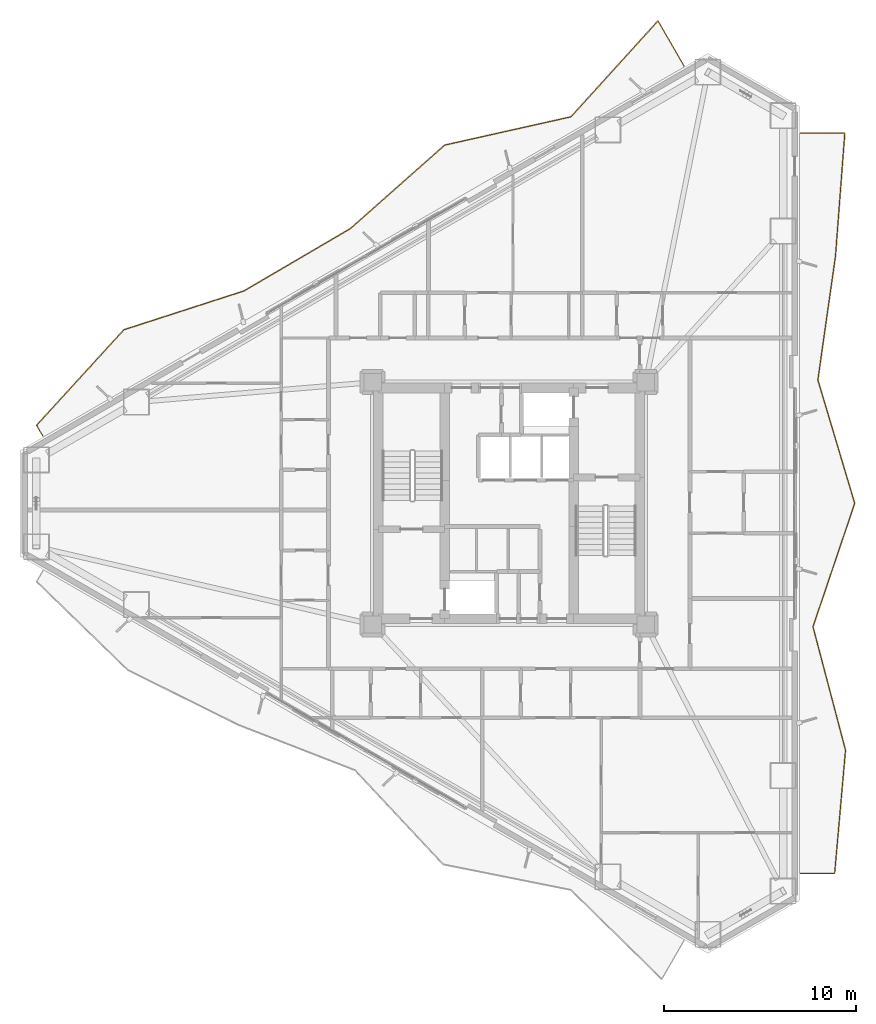
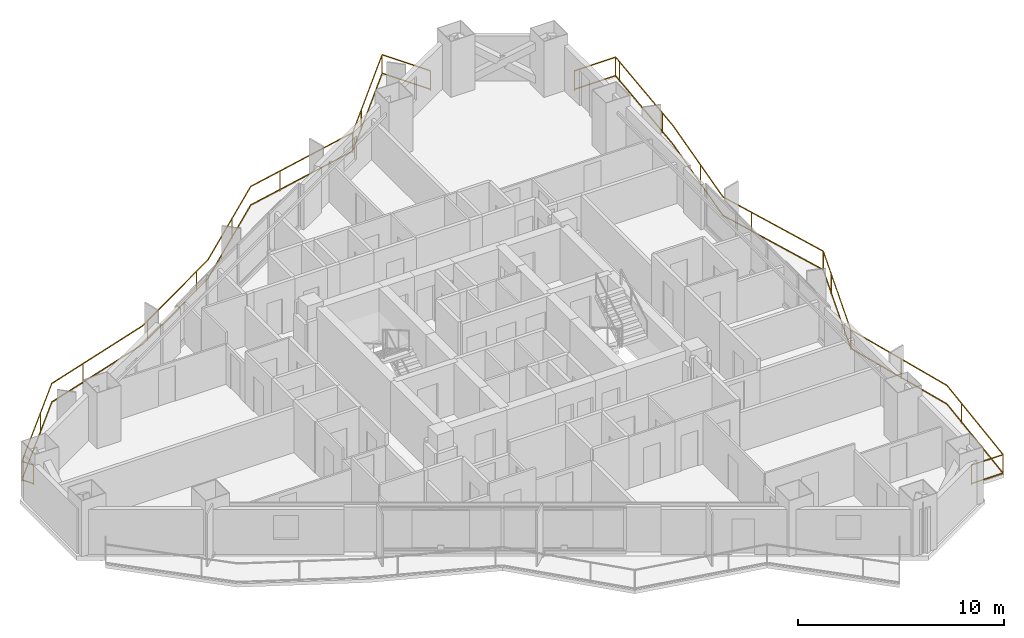
# One storey, part 18 of 18: 2 railings.
"""IFC4 building model written with IfcOpenShell, lengths in metres."""

import ifcopenshell
import ifcopenshell.guid

model = None  # the IFC model being written
_history = None  # IfcOwnerHistory: only IFC2X3 demands one
_inside = {}  # id of a spatial element -> (the spatial element, [elements in it])
_under = {}  # id of a project, library or spatial element -> (it, [spatial elements below it])
_declared = {}  # id of a project -> (the project, [libraries it declares])
_typed = {}  # id of a type object -> (the type object, [elements of that type])
_made_of = {}  # id of a material, layer set ... -> (it, [elements and type objects made of it])


def new_model(schema):
    """Start an empty IFC model of exactly this schema.

    Asked for "IFC4X3", IfcOpenShell would pick the latest addendum, in which some entities
    have other attributes; the version numbers below select the first issue.
    IFC2X3 requires an IfcOwnerHistory on every rooted entity: one is made here for all.
    """
    global model, _history
    if schema == "IFC4X3":
        model = ifcopenshell.file(schema_version=(4, 3, 0, 0))
    else:
        model = ifcopenshell.file(schema=schema)
    _inside.clear()
    _under.clear()
    _declared.clear()
    _typed.clear()
    _made_of.clear()
    _history = None
    if model.schema == "IFC2X3":
        org = make("IfcOrganization", Name="unknown")
        user = make(
            "IfcPersonAndOrganization",
            ThePerson=make("IfcPerson", FamilyName="unknown"),
            TheOrganization=org,
        )
        app = make(
            "IfcApplication",
            ApplicationDeveloper=org,
            Version="unknown",
            ApplicationFullName="unknown",
            ApplicationIdentifier="unknown",
        )
        _history = make(
            "IfcOwnerHistory",
            OwningUser=user,
            OwningApplication=app,
            ChangeAction="ADDED",
            CreationDate=0,
        )
    return model


def make(cls, **values):
    """One entity of the class cls with the attributes given. An attribute that is None is left unset."""
    return model.create_entity(
        cls, **{name: value for name, value in values.items() if value is not None}
    )


def rooted(cls, **values):
    """An entity with a GlobalId (a new one), such as an element, a storey or a relation."""
    return make(cls, GlobalId=ifcopenshell.guid.new(), OwnerHistory=_history, **values)


def si_unit(unit_type, name, prefix=None):
    """IfcSIUnit, for example si_unit("LENGTHUNIT", "METRE", prefix="MILLI")."""
    return make("IfcSIUnit", UnitType=unit_type, Prefix=prefix, Name=name)


def assignment(units):
    """IfcUnitAssignment: the units of a project."""
    return None if units is None else make("IfcUnitAssignment", Units=units)


def point(xyz):
    """IfcCartesianPoint."""
    return None if xyz is None else make("IfcCartesianPoint", Coordinates=xyz)


def direction(xyz):
    """IfcDirection."""
    return None if xyz is None else make("IfcDirection", DirectionRatios=xyz)


def frame(location, z_axis=None, x_axis=None):
    """IfcAxis2Placement3D, a coordinate frame: its origin and axes. An axis left out is left unset."""
    return make(
        "IfcAxis2Placement3D",
        Location=point(location),
        Axis=direction(z_axis),
        RefDirection=direction(x_axis),
    )


def frame_2d(location, x_axis=None):
    """IfcAxis2Placement2D, a coordinate frame in the plane: its origin and x axis."""
    return make(
        "IfcAxis2Placement2D", Location=point(location), RefDirection=direction(x_axis)
    )


def origin():
    """The frame at (0, 0, 0) with its axes left unset."""
    return frame((0.0, 0.0, 0.0))


def origin_2d():
    """The frame at (0, 0) in the plane with its x axis left unset."""
    return frame_2d((0.0, 0.0))


def place(relative_to, where):
    """IfcLocalPlacement: puts the frame where relative to a parent placement (None: the world)."""
    return make(
        "IfcLocalPlacement", PlacementRelTo=relative_to, RelativePlacement=where
    )


def context(
    kind, dimensions, precision=None, world=None, true_north=None, identifier=None
):
    """IfcGeometricRepresentationContext, for example the 3D "Model" context."""
    return make(
        "IfcGeometricRepresentationContext",
        ContextIdentifier=identifier,
        ContextType=kind,
        CoordinateSpaceDimension=dimensions,
        Precision=precision,
        WorldCoordinateSystem=world,
        TrueNorth=true_north,
    )


def subcontext(parent, identifier, kind, view, scale=None):
    """IfcGeometricRepresentationSubContext, for example "Body" below "Model"."""
    return make(
        "IfcGeometricRepresentationSubContext",
        ContextIdentifier=identifier,
        ContextType=kind,
        ParentContext=parent,
        TargetScale=scale,
        TargetView=view,
    )


def project(units=None, contexts=None):
    """IfcProject with its units and contexts."""
    return rooted(
        "IfcProject",
        Name="project",
        RepresentationContexts=contexts,
        UnitsInContext=assignment(units),
    )


def spatial(cls, under=None, at=None, **own):
    """A site, building, storey or space (cls), placed at a placement, below another one or the project."""
    s = rooted(cls, ObjectPlacement=at, **own)
    if under is not None:
        _under.setdefault(under.id(), (under, []))[1].append(s)
    return s


def profile(cls, at=None, kind="AREA", **sizes):
    """A parametric profile (cls). Its sizes go by their IFC names, for example OverallWidth=200.0."""
    return make(cls, ProfileType=kind, Position=at, **sizes)


def rectangle(**sizes):
    """IfcRectangleProfileDef."""
    return profile("IfcRectangleProfileDef", **sizes)


def extrude(swept, where, along, depth):
    """IfcExtrudedAreaSolid: the profile swept, set in the frame where, extruded along a direction by depth."""
    return make(
        "IfcExtrudedAreaSolid",
        SweptArea=swept,
        Position=where,
        ExtrudedDirection=direction(along),
        Depth=depth,
    )


def shape(context_of_items, identifier, shape_type, items):
    """IfcShapeRepresentation: the items that make up one representation, for example the "Body"."""
    return make(
        "IfcShapeRepresentation",
        ContextOfItems=context_of_items,
        RepresentationIdentifier=identifier,
        RepresentationType=shape_type,
        Items=items,
    )


def material(Name=None, Category=None):
    """IfcMaterial."""
    return make("IfcMaterial", Name=Name, Category=Category)


def made_of(thing, what):
    """Note that an element or type object is made of a material, layer set ...; save() writes the relation."""
    if what is not None:
        _made_of.setdefault(what.id(), (what, []))[1].append(thing)
    return thing


def type_object(cls, material=None, **own):
    """A type object (cls), such as IfcWallType, which elements share."""
    return made_of(rooted(cls, **own), material)


def element(
    cls,
    number,
    at=None,
    inside=None,
    cuts=None,
    type_object=None,
    material=None,
    context=None,
    identifier="Body",
    shape_type=None,
    held_by="IfcProductDefinitionShape",
    body=None,
    shapes=None,
    **own,
):
    """One element of the class cls, such as IfcWall. Its Tag is "e" and its number.

    at: its placement. inside: the storey or other place that contains it. cuts: it is an
    opening in that element (IfcRelVoidsElement). A single representation is given by context,
    identifier, shape_type and body (its items); several are given by shapes. held_by: the class
    of the entity that holds the representations. save() writes the other relations.
    """
    e = rooted(cls, Tag="e%d" % number, ObjectPlacement=at, **own)
    if body is not None:
        shapes = [shape(context, identifier, shape_type, body)]
    if shapes is not None:
        e.Representation = make(held_by, Representations=shapes)
    if inside is not None:
        _inside.setdefault(inside.id(), (inside, []))[1].append(e)
    if cuts is not None:
        rooted(
            "IfcRelVoidsElement", RelatingBuildingElement=cuts, RelatedOpeningElement=e
        )
    if type_object is not None:
        _typed.setdefault(type_object.id(), (type_object, []))[1].append(e)
    return made_of(e, material)


def aggregate(whole, parts):
    """IfcRelAggregates: a whole, such as a stair, and the parts it consists of."""
    return rooted("IfcRelAggregates", RelatingObject=whole, RelatedObjects=parts)


def save(model, path):
    """Write the relations noted so far, then the file.

    IfcRelAggregates (storeys below a building ...), IfcRelContainedInSpatialStructure (elements
    in a storey), IfcRelDefinesByType, IfcRelAssociatesMaterial and IfcRelDeclares: one each for
    every whole, place, type object, material and project.
    """
    for whole, parts in _under.values():
        aggregate(whole, parts)
    for where, things in _inside.values():
        rooted(
            "IfcRelContainedInSpatialStructure",
            RelatedElements=things,
            RelatingStructure=where,
        )
    for kind, things in _typed.values():
        rooted("IfcRelDefinesByType", RelatedObjects=things, RelatingType=kind)
    for what, things in _made_of.values():
        rooted("IfcRelAssociatesMaterial", RelatedObjects=things, RelatingMaterial=what)
    for by, libraries in _declared.values():
        rooted("IfcRelDeclares", RelatingContext=by, RelatedDefinitions=libraries)
    model.write(path)


model = new_model("IFC4")

# Units and contexts
model_context = context("Model", 3, precision=1e-05, world=origin(), true_north=direction((0.0, 1.0)))
body_context = subcontext(model_context, "Body", "Model", "MODEL_VIEW")
ifc_project = project(units=[si_unit("LENGTHUNIT", "METRE"), si_unit("AREAUNIT", "SQUARE_METRE"), si_unit("VOLUMEUNIT", "CUBIC_METRE"), si_unit("PLANEANGLEUNIT", "RADIAN"), si_unit("MASSUNIT", "GRAM", prefix="KILO")], contexts=[model_context])

# Site, building, storey
site_placement = place(None, origin())
site = spatial("IfcSite", under=ifc_project, at=site_placement, CompositionType="ELEMENT")
building_placement = place(site_placement, origin())
building = spatial("IfcBuilding", under=site, at=building_placement, Name="Mersakhor Tower and Convention Hall", CompositionType="ELEMENT")
storey_placement = place(building_placement, frame((0.0, 0.0, 52.199951171875)))
storey = spatial("IfcBuildingStorey", under=building, at=storey_placement, Name="L14", CompositionType="ELEMENT", Elevation=52.199951171875)

# Railings
ifc_material = material(Name="Powder-coated galvanised steel and laminated glass balustrade", Category="steel")
railing_type = type_object("IfcRailingType", Name="RL-BAL-1200", PredefinedType="BALUSTRADE", material=ifc_material)
railing_1_placement = place(storey_placement, frame((38.099609375, 49.497314453125, 0.0)))
element("IfcRailing", 1, at=railing_1_placement, inside=storey, type_object=railing_type, Name="L14 Sinusoidal Balcony Balustrade F1", PredefinedType="BALUSTRADE", context=body_context, shape_type="SweptSolid", body=[
    extrude(rectangle(XDim=0.048095703125, YDim=0.048095703125, at=origin_2d()), frame((0.0, 0.0, 1.17578125), z_axis=(-0.500026769981, 0.866009947577, 0.0), x_axis=(-0.866009947577, -0.500026769981, 0.0)), (0.0, 0.0, 1.0), 2.708251953125),
    extrude(rectangle(XDim=0.048095703125, YDim=0.048095703125, at=origin_2d()), frame((0.0, 0.0, 0.080078125), z_axis=(-0.500026769981, 0.866009947577, 0.0), x_axis=(-0.866009947577, -0.500026769981, 0.0)), (0.0, 0.0, 1.0), 2.708251953125),
    extrude(rectangle(XDim=0.048095703125, YDim=0.048095703125, at=origin_2d()), frame((-1.354248046875, 2.345458984375, 1.17578125), z_axis=(-0.671971144235, -0.740577329734, 0.0), x_axis=(0.740577329734, -0.671971144235, 0.0)), (0.0, 0.0, 1.0), 6.739990234375),
    extrude(rectangle(XDim=0.048095703125, YDim=0.048095703125, at=origin_2d()), frame((-1.354248046875, 2.345458984375, 0.080078125), z_axis=(-0.671971144235, -0.740577329734, 0.0), x_axis=(0.740577329734, -0.671971144235, 0.0)), (0.0, 0.0, 1.0), 6.739990234375),
    extrude(rectangle(XDim=0.048095703125, YDim=0.048095703125, at=origin_2d()), frame((-5.88330078125, -2.64599609375, 1.17578125), z_axis=(-0.975825231314, -0.218552323096, 0.0), x_axis=(0.218552323096, -0.975825231314, 0.0)), (0.0, 0.0, 1.0), 6.724853515625),
    extrude(rectangle(XDim=0.048095703125, YDim=0.048095703125, at=origin_2d()), frame((-5.88330078125, -2.64599609375, 0.080078125), z_axis=(-0.975825231314, -0.218552323096, 0.0), x_axis=(0.218552323096, -0.975825231314, 0.0)), (0.0, 0.0, 1.0), 6.724853515625),
    extrude(rectangle(XDim=0.048095703125, YDim=0.048095703125, at=origin_2d()), frame((-12.445556640625, -4.11572265625, 1.17578125), z_axis=(-0.748758889093, -0.662842459416, 0.0), x_axis=(0.662842459416, -0.748758889093, 0.0)), (0.0, 0.0, 1.0), 6.5498046875),
    extrude(rectangle(XDim=0.048095703125, YDim=0.048095703125, at=origin_2d()), frame((-12.445556640625, -4.11572265625, 0.080078125), z_axis=(-0.748758889093, -0.662842459416, 0.0), x_axis=(0.662842459416, -0.748758889093, 0.0)), (0.0, 0.0, 1.0), 6.5498046875),
    extrude(rectangle(XDim=0.048095703125, YDim=0.048095703125, at=origin_2d()), frame((-17.349853515625, -8.457275390625, 1.17578125), z_axis=(-0.862829561167, -0.505494953858, 0.0), x_axis=(0.505494953858, -0.862829561167, 0.0)), (0.0, 0.0, 1.0), 6.418212890625),
    extrude(rectangle(XDim=0.048095703125, YDim=0.048095703125, at=origin_2d()), frame((-17.349853515625, -8.457275390625, 0.080078125), z_axis=(-0.862829561167, -0.505494953858, 0.0), x_axis=(0.505494953858, -0.862829561167, 0.0)), (0.0, 0.0, 1.0), 6.418212890625),
    extrude(rectangle(XDim=0.048095703125, YDim=0.048095703125, at=origin_2d()), frame((-22.8876953125, -11.70166015625, 1.17578125), z_axis=(-0.951508581101, -0.307622203507, 0.0), x_axis=(0.307622203507, -0.951508581101, 0.0)), (0.0, 0.0, 1.0), 6.5634765625),
    extrude(rectangle(XDim=0.048095703125, YDim=0.048095703125, at=origin_2d()), frame((-22.8876953125, -11.70166015625, 0.080078125), z_axis=(-0.951508581101, -0.307622203507, 0.0), x_axis=(0.307622203507, -0.951508581101, 0.0)), (0.0, 0.0, 1.0), 6.5634765625),
    extrude(rectangle(XDim=0.048095703125, YDim=0.048095703125, at=origin_2d()), frame((-29.1328125, -13.720703125, 1.17578125), z_axis=(-0.674513517683, -0.73826249699, 0.0), x_axis=(0.73826249699, -0.674513517683, 0.0)), (0.0, 0.0, 1.0), 6.732666015625),
    extrude(rectangle(XDim=0.048095703125, YDim=0.048095703125, at=origin_2d()), frame((-29.1328125, -13.720703125, 0.080078125), z_axis=(-0.674513517683, -0.73826249699, 0.0), x_axis=(0.73826249699, -0.674513517683, 0.0)), (0.0, 0.0, 1.0), 6.732666015625),
    extrude(rectangle(XDim=0.048095703125, YDim=0.048095703125, at=origin_2d()), frame((-33.674072265625, -18.691162109375, 1.17578125), z_axis=(0.500058503878, -0.86599162392, 0.0), x_axis=(0.86599162392, 0.500058503878, 0.0)), (0.0, 0.0, 1.0), 0.64990234375),
    extrude(rectangle(XDim=0.048095703125, YDim=0.048095703125, at=origin_2d()), frame((-33.674072265625, -18.691162109375, 0.080078125), z_axis=(0.500058503878, -0.86599162392, 0.0), x_axis=(0.86599162392, 0.500058503878, 0.0)), (0.0, 0.0, 1.0), 0.64990234375),
    extrude(rectangle(XDim=0.0419921875, YDim=0.0419921875, at=origin_2d()), origin(), (0.0, 0.0, 1.0), 1.15185546875),
    extrude(rectangle(XDim=0.0419921875, YDim=0.0419921875, at=origin_2d()), frame((-1.354248046875, 2.345458984375, 0.0)), (0.0, 0.0, 1.0), 1.15185546875),
    extrude(rectangle(XDim=0.0419921875, YDim=0.0419921875, at=origin_2d()), frame((-4.57958984375, -1.209228515625, 0.0)), (0.0, 0.0, 1.0), 1.15185546875),
    extrude(rectangle(XDim=0.0419921875, YDim=0.0419921875, at=origin_2d()), frame((-5.88330078125, -2.64599609375, 0.0)), (0.0, 0.0, 1.0), 1.15185546875),
    extrude(rectangle(XDim=0.0419921875, YDim=0.0419921875, at=origin_2d()), frame((-10.5673828125, -3.695068359375, 0.0)), (0.0, 0.0, 1.0), 1.15185546875),
    extrude(rectangle(XDim=0.0419921875, YDim=0.0419921875, at=origin_2d()), frame((-14.598388671875, -6.021484375, 0.0)), (0.0, 0.0, 1.0), 1.15185546875),
    extrude(rectangle(XDim=0.0419921875, YDim=0.0419921875, at=origin_2d()), frame((-18.32080078125, -9.026123046875, 0.0)), (0.0, 0.0, 1.0), 1.15185546875),
    extrude(rectangle(XDim=0.0419921875, YDim=0.0419921875, at=origin_2d()), frame((-22.46240234375, -11.452392578125, 0.0)), (0.0, 0.0, 1.0), 1.15185546875),
    extrude(rectangle(XDim=0.0419921875, YDim=0.0419921875, at=origin_2d()), frame((-26.98583984375, -13.026611328125, 0.0)), (0.0, 0.0, 1.0), 1.15185546875),
    extrude(rectangle(XDim=0.0419921875, YDim=0.0419921875, at=origin_2d()), frame((-30.8486328125, -15.5986328125, 0.0)), (0.0, 0.0, 1.0), 1.15185546875),
    extrude(rectangle(XDim=0.0419921875, YDim=0.0419921875, at=origin_2d()), frame((-33.674072265625, -18.691162109375, 0.0)), (0.0, 0.0, 1.0), 1.15185546875),
    extrude(rectangle(XDim=0.0419921875, YDim=0.0419921875, at=origin_2d()), frame((-33.34912109375, -19.25390625, 0.0)), (0.0, 0.0, 1.0), 1.15185546875),
])
railing_2_placement = place(storey_placement, frame((44.14990234375, 7.49609375, 0.0)))
element("IfcRailing", 2, at=railing_2_placement, inside=storey, type_object=railing_type, Name="L14 Sinusoidal Balcony Balustrade F2", PredefinedType="BALUSTRADE", context=body_context, shape_type="SweptSolid", body=[
    extrude(rectangle(XDim=0.048095703125, YDim=0.048095703125, at=origin_2d()), frame((0.0, 0.0, 1.17578125), z_axis=(1.0, 0.0, 0.0), x_axis=(0.0, 1.0, 0.0)), (0.0, 0.0, 1.0), 1.775390625),
    extrude(rectangle(XDim=0.048095703125, YDim=0.048095703125, at=origin_2d()), frame((0.0, 0.0, 0.080078125), z_axis=(1.0, 0.0, 0.0), x_axis=(0.0, 1.0, 0.0)), (0.0, 0.0, 1.0), 1.775390625),
    extrude(rectangle(XDim=0.048095703125, YDim=0.048095703125, at=origin_2d()), frame((1.775390625, 0.0, 1.17578125), z_axis=(0.087911504473, 0.996128288616, 0.0), x_axis=(-0.996128288616, 0.087911504473, 0.0)), (0.0, 0.0, 1.0), 6.44287109375),
    extrude(rectangle(XDim=0.048095703125, YDim=0.048095703125, at=origin_2d()), frame((1.775390625, 0.0, 0.080078125), z_axis=(0.087911504473, 0.996128288616, 0.0), x_axis=(-0.996128288616, 0.087911504473, 0.0)), (0.0, 0.0, 1.0), 6.44287109375),
    extrude(rectangle(XDim=0.048095703125, YDim=0.048095703125, at=origin_2d()), frame((2.341796875, 6.41796875, 1.17578125), z_axis=(-0.254875316899, 0.966973925623, 0.0), x_axis=(-0.966973925623, -0.254875316899, 0.0)), (0.0, 0.0, 1.0), 6.63720703125),
    extrude(rectangle(XDim=0.048095703125, YDim=0.048095703125, at=origin_2d()), frame((2.341796875, 6.41796875, 0.080078125), z_axis=(-0.254875316899, 0.966973925623, 0.0), x_axis=(-0.966973925623, -0.254875316899, 0.0)), (0.0, 0.0, 1.0), 6.63720703125),
    extrude(rectangle(XDim=0.048095703125, YDim=0.048095703125, at=origin_2d()), frame((0.650146484375, 12.8359375, 1.17578125), z_axis=(0.320289746531, 0.947319628355, 0.0), x_axis=(-0.947319628355, 0.320289746531, 0.0)), (0.0, 0.0, 1.0), 6.77490234375),
    extrude(rectangle(XDim=0.048095703125, YDim=0.048095703125, at=origin_2d()), frame((0.650146484375, 12.8359375, 0.080078125), z_axis=(0.320289746531, 0.947319628355, 0.0), x_axis=(-0.947319628355, 0.320289746531, 0.0)), (0.0, 0.0, 1.0), 6.77490234375),
    extrude(rectangle(XDim=0.048095703125, YDim=0.048095703125, at=origin_2d()), frame((2.820068359375, 19.25390625, 1.17578125), z_axis=(-0.286197362026, 0.958170689371, 0.0), x_axis=(-0.958170689371, -0.286197362026, 0.0)), (0.0, 0.0, 1.0), 6.6982421875),
    extrude(rectangle(XDim=0.048095703125, YDim=0.048095703125, at=origin_2d()), frame((2.820068359375, 19.25390625, 0.080078125), z_axis=(-0.286197362026, 0.958170689371, 0.0), x_axis=(-0.958170689371, -0.286197362026, 0.0)), (0.0, 0.0, 1.0), 6.6982421875),
    extrude(rectangle(XDim=0.048095703125, YDim=0.048095703125, at=origin_2d()), frame((0.903076171875, 25.671875, 1.17578125), z_axis=(0.141147190849, 0.989988621407, 0.0), x_axis=(-0.989988621407, 0.141147190849, 0.0)), (0.0, 0.0, 1.0), 6.48291015625),
    extrude(rectangle(XDim=0.048095703125, YDim=0.048095703125, at=origin_2d()), frame((0.903076171875, 25.671875, 0.080078125), z_axis=(0.141147190849, 0.989988621407, 0.0), x_axis=(-0.989988621407, 0.141147190849, 0.0)), (0.0, 0.0, 1.0), 6.48291015625),
    extrude(rectangle(XDim=0.048095703125, YDim=0.048095703125, at=origin_2d()), frame((1.818115234375, 32.08984375, 1.17578125), z_axis=(0.075672541902, 0.997132722561, 0.0), x_axis=(-0.997132722561, 0.075672541902, 0.0)), (0.0, 0.0, 1.0), 6.4365234375),
    extrude(rectangle(XDim=0.048095703125, YDim=0.048095703125, at=origin_2d()), frame((1.818115234375, 32.08984375, 0.080078125), z_axis=(0.075672541902, 0.997132722561, 0.0), x_axis=(-0.997132722561, 0.075672541902, 0.0)), (0.0, 0.0, 1.0), 6.4365234375),
    extrude(rectangle(XDim=0.048095703125, YDim=0.048095703125, at=origin_2d()), frame((2.30517578125, 38.5078125, 1.17578125), z_axis=(-1.0, 0.0, 0.0), x_axis=(0.0, -1.0, 0.0)), (0.0, 0.0, 1.0), 2.30517578125),
    extrude(rectangle(XDim=0.048095703125, YDim=0.048095703125, at=origin_2d()), frame((2.30517578125, 38.5078125, 0.080078125), z_axis=(-1.0, 0.0, 0.0), x_axis=(0.0, -1.0, 0.0)), (0.0, 0.0, 1.0), 2.30517578125),
    extrude(rectangle(XDim=0.0419921875, YDim=0.0419921875, at=origin_2d()), origin(), (0.0, 0.0, 1.0), 1.15185546875),
    extrude(rectangle(XDim=0.0419921875, YDim=0.0419921875, at=origin_2d()), frame((1.775390625, 0.0, 0.0)), (0.0, 0.0, 1.0), 1.15185546875),
    extrude(rectangle(XDim=0.0419921875, YDim=0.0419921875, at=origin_2d()), frame((2.197265625, 4.781494140625, 0.0)), (0.0, 0.0, 1.0), 1.15185546875),
    extrude(rectangle(XDim=0.0419921875, YDim=0.0419921875, at=origin_2d()), frame((1.537109375, 9.470703125, 0.0)), (0.0, 0.0, 1.0), 1.15185546875),
    extrude(rectangle(XDim=0.0419921875, YDim=0.0419921875, at=origin_2d()), frame((0.650146484375, 12.8359375, 0.0)), (0.0, 0.0, 1.0), 1.15185546875),
    extrude(rectangle(XDim=0.0419921875, YDim=0.0419921875, at=origin_2d()), frame((2.1875, 17.383056640625, 0.0)), (0.0, 0.0, 1.0), 1.15185546875),
    extrude(rectangle(XDim=0.0419921875, YDim=0.0419921875, at=origin_2d()), frame((2.820068359375, 19.25390625, 0.0)), (0.0, 0.0, 1.0), 1.15185546875),
    extrude(rectangle(XDim=0.0419921875, YDim=0.0419921875, at=origin_2d()), frame((1.4462890625, 23.85302734375, 0.0)), (0.0, 0.0, 1.0), 1.15185546875),
    extrude(rectangle(XDim=0.0419921875, YDim=0.0419921875, at=origin_2d()), frame((1.312744140625, 28.544677734375, 0.0)), (0.0, 0.0, 1.0), 1.15185546875),
    extrude(rectangle(XDim=0.0419921875, YDim=0.0419921875, at=origin_2d()), frame((1.910400390625, 33.305419921875, 0.0)), (0.0, 0.0, 1.0), 1.15185546875),
    extrude(rectangle(XDim=0.0419921875, YDim=0.0419921875, at=origin_2d()), frame((2.273681640625, 38.091552734375, 0.0)), (0.0, 0.0, 1.0), 1.15185546875),
    extrude(rectangle(XDim=0.0419921875, YDim=0.0419921875, at=origin_2d()), frame((2.30517578125, 38.5078125, 0.0)), (0.0, 0.0, 1.0), 1.15185546875),
    extrude(rectangle(XDim=0.0419921875, YDim=0.0419921875, at=origin_2d()), frame((0.0, 38.5078125, 0.0)), (0.0, 0.0, 1.0), 1.15185546875),
])

save(model, "model.ifc")
